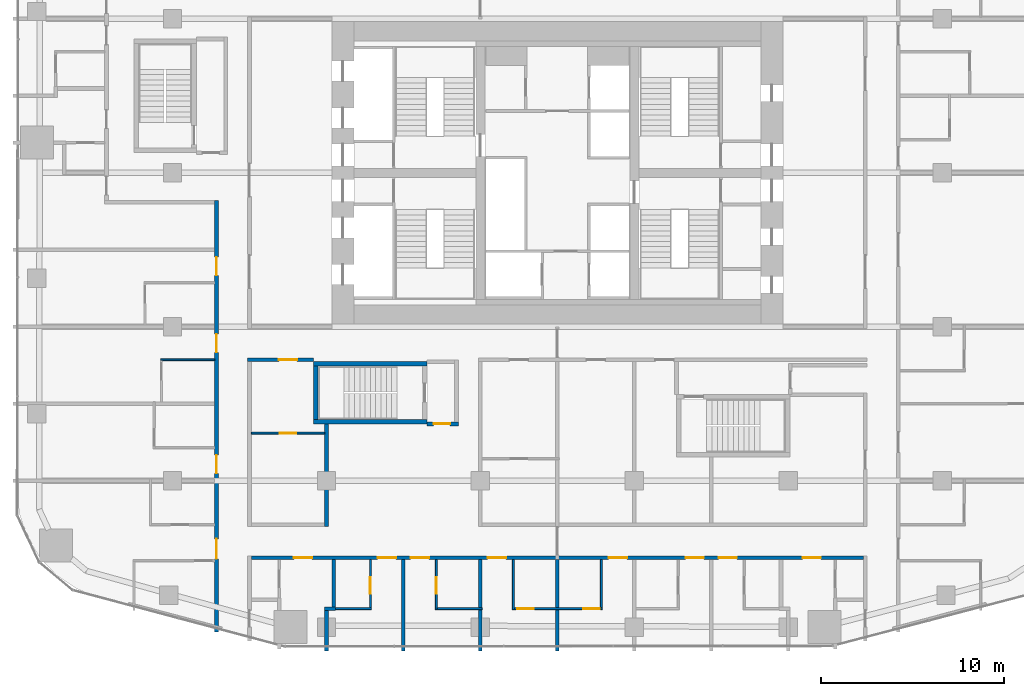
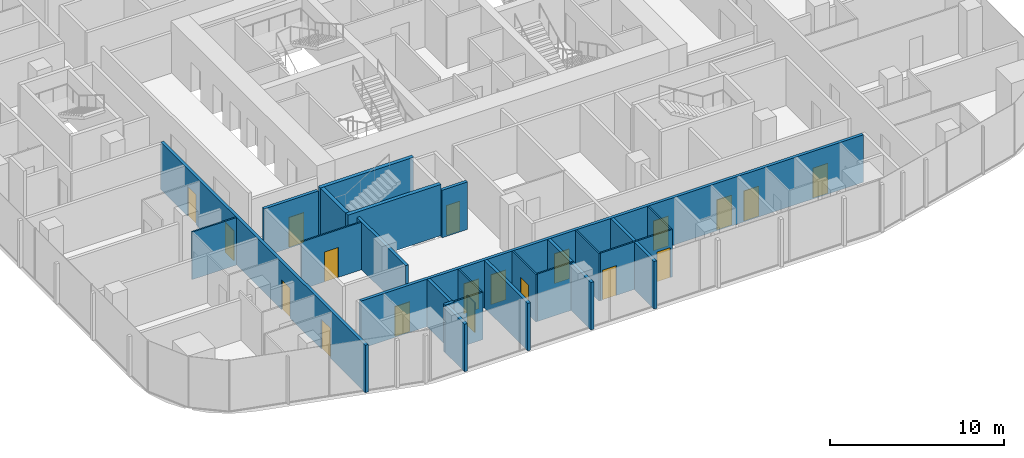
# One storey, part 16 of 26: 23 walls, 19 doors, 19 openings.
"""IFC4 building model written with IfcOpenShell, lengths in metres."""

from ifc_helpers import new_model, si_unit, direction, frame, frame_2d, origin, place, context, subcontext, project, spatial, rectangle, extrude, material, layer, layer_set, type_object, element, fill, save


model = new_model("IFC4")

# Units and contexts
model_context = context("Model", 3, precision=1e-05, world=origin(), true_north=direction((0.0, 1.0)))
body_context = subcontext(model_context, "Body", "Model", "MODEL_VIEW")
ifc_project = project(units=[si_unit("LENGTHUNIT", "METRE"), si_unit("AREAUNIT", "SQUARE_METRE"), si_unit("VOLUMEUNIT", "CUBIC_METRE"), si_unit("PLANEANGLEUNIT", "RADIAN"), si_unit("MASSUNIT", "GRAM", prefix="KILO")], contexts=[model_context])

# Site, building, storey
site_placement = place(None, origin())
site = spatial("IfcSite", under=ifc_project, at=site_placement, CompositionType="ELEMENT")
building_placement = place(site_placement, origin())
building = spatial("IfcBuilding", under=site, at=building_placement, Name="Marenta Gate Hotel Tower", CompositionType="ELEMENT")
storey_placement = place(building_placement, frame((0.0, 0.0, 43.699951171875)))
storey = spatial("IfcBuildingStorey", under=building, at=storey_placement, Name="L08", CompositionType="ELEMENT", Elevation=43.699951171875)

# Walls
ifc_material_1 = material(Name="Concrete blockwork", Category="masonry")
ifc_layer_1 = layer(ifc_material_1, 0.199951171875)
ifc_layer_set_1 = layer_set([ifc_layer_1], Name="Concrete blockwork")
wall_type_1 = type_object("IfcWallType", Name="Compartment wall 200 REI 180", PredefinedType="PARTITIONING", material=ifc_layer_set_1)
wall_1_placement = place(storey_placement, frame((0.0, -17.699951171875, 0.0), z_axis=(0.0, 0.0, 1.0), x_axis=(0.0, 1.0, 0.0)))
element("IfcWall", 1, at=wall_1_placement, inside=storey, type_object=wall_type_1, Name="L08-PTN-W069", PredefinedType="PARTITIONING", context=body_context, shape_type="SweptSolid", body=[
    extrude(rectangle(XDim=5.0, YDim=0.199951171875, at=frame_2d((2.5, 0.0))), origin(), (0.0, 0.0, 1.0), 3.340087890625),
])
ifc_material_2 = material(Name="Concrete C40", Category="concrete")
ifc_layer_2 = layer(ifc_material_2, 0.25)
ifc_layer_set_2 = layer_set([ifc_layer_2], Name="Concrete C40")
wall_type_2 = type_object("IfcWallType", Name="Remote stair enclosure wall 250 REI 180", PredefinedType="SHEAR", material=ifc_layer_set_2)
for number, where, z_axis, x_axis, name in (
    (2, (-13.300048828125, -5.175048828125, 0.10009765625), (0.0, 0.0, 1.0), (1.0, 0.0, 0.0), "L08-RS-Z1-2-W1"),
    (3, (-13.300048828125, -2.02490234375, 0.10009765625), (0.0, 0.0, 1.0), (1.0, 0.0, 0.0), "L08-RS-Z1-2-W2"),
):
    element("IfcWall", number, at=place(storey_placement, frame(where, z_axis=z_axis, x_axis=x_axis)), inside=storey, type_object=wall_type_2, Name=name, PredefinedType="SHEAR", context=body_context, shape_type="SweptSolid", body=[
        extrude(rectangle(XDim=6.199951171875, YDim=0.25, at=frame_2d((3.10009765625, 0.0))), origin(), (0.0, 0.0, 1.0), 3.599853515625),
    ])
wall_2_placement = place(storey_placement, frame((-13.175048828125, -5.050048828125, 0.10009765625), z_axis=(0.0, 0.0, 1.0), x_axis=(0.0, 1.0, 0.0)))
element("IfcWall", 4, at=wall_2_placement, inside=storey, type_object=wall_type_2, Name="L08-RS-Z1-2-W3", PredefinedType="SHEAR", context=body_context, shape_type="SweptSolid", body=[
    extrude(rectangle(XDim=2.900146484375, YDim=0.25, at=frame_2d((1.4501953125, 0.0))), origin(), (0.0, 0.0, 1.0), 3.599853515625),
])

# Wall, openings, doors
ifc_material_3 = material(Name="Gypsum board on steel stud", Category="steel")
ifc_layer_3 = layer(ifc_material_3, 0.199951171875)
ifc_layer_set_3 = layer_set([ifc_layer_3], Name="Gypsum board on steel stud")
wall_type_3 = type_object("IfcWallType", Name="Room corridor wall 200 EI 60", PredefinedType="PARTITIONING", material=ifc_layer_set_3)
wall_3_placement = place(storey_placement, frame((-16.699951171875, -12.60009765625, 0.0), z_axis=(0.0, 0.0, 1.0), x_axis=(1.0, 0.0, 0.0)))
wall_3 = element("IfcWall", 5, at=wall_3_placement, inside=storey, type_object=wall_type_3, Name="L08-PTN-W034", PredefinedType="PARTITIONING", context=body_context, shape_type="SweptSolid", body=[
    extrude(rectangle(XDim=33.39990234375, YDim=0.199951171875, at=frame_2d((16.699951171875, 0.0))), origin(), (0.0, 0.0, 1.0), 3.340087890625),
])
opening_1_placement = place(wall_3_placement, frame((6.89990234375, 0.0, 0.0)))
opening_1 = element("IfcOpeningElement", 6, at=opening_1_placement, cuts=wall_3, Name="Opening G02-40", PredefinedType="OPENING", context=body_context, shape_type="SweptSolid", body=[
    extrude(rectangle(XDim=1.0, YDim=2.10009765625, at=frame_2d((0.5, 1.050048828125))), frame((0.0, 0.10009765625, 0.0), z_axis=(0.0, -1.0, 0.0), x_axis=(1.0, 0.0, 0.0)), (0.0, 0.0, 1.0), 0.199951171875),
])
opening_2_placement = place(wall_3_placement, frame((8.699951171875, 0.0, 0.0)))
opening_2 = element("IfcOpeningElement", 7, at=opening_2_placement, cuts=wall_3, Name="Opening G02-42", PredefinedType="OPENING", context=body_context, shape_type="SweptSolid", body=[
    extrude(rectangle(XDim=1.0, YDim=2.10009765625, at=frame_2d((0.5, 1.050048828125))), frame((0.0, 0.10009765625, 0.0), z_axis=(0.0, -1.0, 0.0), x_axis=(1.0, 0.0, 0.0)), (0.0, 0.0, 1.0), 0.199951171875),
])
opening_3_placement = place(wall_3_placement, frame((12.89990234375, 0.0, 0.0)))
opening_3 = element("IfcOpeningElement", 8, at=opening_3_placement, cuts=wall_3, Name="Opening G02-44", PredefinedType="OPENING", context=body_context, shape_type="SweptSolid", body=[
    extrude(rectangle(XDim=1.0, YDim=2.10009765625, at=frame_2d((0.5, 1.050048828125))), frame((0.0, 0.10009765625, 0.0), z_axis=(0.0, -1.0, 0.0), x_axis=(1.0, 0.0, 0.0)), (0.0, 0.0, 1.0), 0.199951171875),
])
opening_4_placement = place(wall_3_placement, frame((19.5, 0.0, 0.0)))
opening_4 = element("IfcOpeningElement", 9, at=opening_4_placement, cuts=wall_3, Name="Opening G02-46", PredefinedType="OPENING", context=body_context, shape_type="SweptSolid", body=[
    extrude(rectangle(XDim=1.0, YDim=2.10009765625, at=frame_2d((0.5, 1.050048828125))), frame((0.0, 0.10009765625, 0.0), z_axis=(0.0, -1.0, 0.0), x_axis=(1.0, 0.0, 0.0)), (0.0, 0.0, 1.0), 0.199951171875),
])
opening_5_placement = place(wall_3_placement, frame((23.699951171875, 0.0, 0.0)))
opening_5 = element("IfcOpeningElement", 10, at=opening_5_placement, cuts=wall_3, Name="Opening G02-48", PredefinedType="OPENING", context=body_context, shape_type="SweptSolid", body=[
    extrude(rectangle(XDim=1.0, YDim=2.10009765625, at=frame_2d((0.5, 1.050048828125))), frame((0.0, 0.10009765625, 0.0), z_axis=(0.0, -1.0, 0.0), x_axis=(1.0, 0.0, 0.0)), (0.0, 0.0, 1.0), 0.199951171875),
])
opening_6_placement = place(wall_3_placement, frame((25.5, 0.0, 0.0)))
opening_6 = element("IfcOpeningElement", 11, at=opening_6_placement, cuts=wall_3, Name="Opening G02-50", PredefinedType="OPENING", context=body_context, shape_type="SweptSolid", body=[
    extrude(rectangle(XDim=1.0, YDim=2.10009765625, at=frame_2d((0.5, 1.050048828125))), frame((0.0, 0.10009765625, 0.0), z_axis=(0.0, -1.0, 0.0), x_axis=(1.0, 0.0, 0.0)), (0.0, 0.0, 1.0), 0.199951171875),
])
opening_7_placement = place(wall_3_placement, frame((2.31689453125, 0.0, 0.0)))
opening_7 = element("IfcOpeningElement", 12, at=opening_7_placement, cuts=wall_3, Name="Opening G02-76", PredefinedType="OPENING", context=body_context, shape_type="SweptSolid", body=[
    extrude(rectangle(XDim=1.0, YDim=2.10009765625, at=frame_2d((0.5, 1.050048828125))), frame((0.0, 0.10009765625, 0.0), z_axis=(0.0, -1.0, 0.0), x_axis=(1.0, 0.0, 0.0)), (0.0, 0.0, 1.0), 0.199951171875),
])
opening_8_placement = place(wall_3_placement, frame((30.0830078125, 0.0, 0.0)))
opening_8 = element("IfcOpeningElement", 13, at=opening_8_placement, cuts=wall_3, Name="Opening G02-79", PredefinedType="OPENING", context=body_context, shape_type="SweptSolid", body=[
    extrude(rectangle(XDim=1.0, YDim=2.10009765625, at=frame_2d((0.5, 1.050048828125))), frame((0.0, 0.10009765625, 0.0), z_axis=(0.0, -1.0, 0.0), x_axis=(1.0, 0.0, 0.0)), (0.0, 0.0, 1.0), 0.199951171875),
])
ifc_material_4 = material(Name="Timber door leaf", Category="wood")
door_type_1 = type_object("IfcDoorType", Name="Guest room door 1000x2100 EI 30", OperationType="NOTDEFINED", PredefinedType="DOOR", material=ifc_material_4)
door_1_placement = place(opening_1_placement, origin())
door_1 = element("IfcDoor", 14, at=door_1_placement, inside=storey, type_object=door_type_1, Name="L08-PD-D040", OperationType="SINGLE_SWING_RIGHT", OverallHeight=2.10009765625, OverallWidth=1.0, PredefinedType="DOOR", context=body_context, shape_type="SweptSolid", body=[
    extrude(rectangle(XDim=1.0, YDim=2.10009765625, at=frame_2d((0.5, 1.050048828125))), frame((0.0, 0.02490234375, 0.0), z_axis=(0.0, -1.0, 0.0), x_axis=(1.0, 0.0, 0.0)), (0.0, 0.0, 1.0), 0.050048828125),
])
fill(opening_1, door_1)
door_2_placement = place(opening_2_placement, origin())
door_2 = element("IfcDoor", 15, at=door_2_placement, inside=storey, type_object=door_type_1, Name="L08-PD-D042", OperationType="SINGLE_SWING_RIGHT", OverallHeight=2.10009765625, OverallWidth=1.0, PredefinedType="DOOR", context=body_context, shape_type="SweptSolid", body=[
    extrude(rectangle(XDim=1.0, YDim=2.10009765625, at=frame_2d((0.5, 1.050048828125))), frame((0.0, 0.02490234375, 0.0), z_axis=(0.0, -1.0, 0.0), x_axis=(1.0, 0.0, 0.0)), (0.0, 0.0, 1.0), 0.050048828125),
])
fill(opening_2, door_2)
door_3_placement = place(opening_3_placement, origin())
door_3 = element("IfcDoor", 16, at=door_3_placement, inside=storey, type_object=door_type_1, Name="L08-PD-D044", OperationType="SINGLE_SWING_RIGHT", OverallHeight=2.10009765625, OverallWidth=1.0, PredefinedType="DOOR", context=body_context, shape_type="SweptSolid", body=[
    extrude(rectangle(XDim=1.0, YDim=2.10009765625, at=frame_2d((0.5, 1.050048828125))), frame((0.0, 0.02490234375, 0.0), z_axis=(0.0, -1.0, 0.0), x_axis=(1.0, 0.0, 0.0)), (0.0, 0.0, 1.0), 0.050048828125),
])
fill(opening_3, door_3)
door_4_placement = place(opening_4_placement, origin())
door_4 = element("IfcDoor", 17, at=door_4_placement, inside=storey, type_object=door_type_1, Name="L08-PD-D046", OperationType="SINGLE_SWING_RIGHT", OverallHeight=2.10009765625, OverallWidth=1.0, PredefinedType="DOOR", context=body_context, shape_type="SweptSolid", body=[
    extrude(rectangle(XDim=1.0, YDim=2.10009765625, at=frame_2d((0.5, 1.050048828125))), frame((0.0, 0.02490234375, 0.0), z_axis=(0.0, -1.0, 0.0), x_axis=(1.0, 0.0, 0.0)), (0.0, 0.0, 1.0), 0.050048828125),
])
fill(opening_4, door_4)
door_5_placement = place(opening_5_placement, origin())
door_5 = element("IfcDoor", 18, at=door_5_placement, inside=storey, type_object=door_type_1, Name="L08-PD-D048", OperationType="SINGLE_SWING_RIGHT", OverallHeight=2.10009765625, OverallWidth=1.0, PredefinedType="DOOR", context=body_context, shape_type="SweptSolid", body=[
    extrude(rectangle(XDim=1.0, YDim=2.10009765625, at=frame_2d((0.5, 1.050048828125))), frame((0.0, 0.02490234375, 0.0), z_axis=(0.0, -1.0, 0.0), x_axis=(1.0, 0.0, 0.0)), (0.0, 0.0, 1.0), 0.050048828125),
])
fill(opening_5, door_5)
door_6_placement = place(opening_6_placement, origin())
door_6 = element("IfcDoor", 19, at=door_6_placement, inside=storey, type_object=door_type_1, Name="L08-PD-D050", OperationType="SINGLE_SWING_RIGHT", OverallHeight=2.10009765625, OverallWidth=1.0, PredefinedType="DOOR", context=body_context, shape_type="SweptSolid", body=[
    extrude(rectangle(XDim=1.0, YDim=2.10009765625, at=frame_2d((0.5, 1.050048828125))), frame((0.0, 0.02490234375, 0.0), z_axis=(0.0, -1.0, 0.0), x_axis=(1.0, 0.0, 0.0)), (0.0, 0.0, 1.0), 0.050048828125),
])
fill(opening_6, door_6)
door_7_placement = place(opening_7_placement, origin())
door_7 = element("IfcDoor", 20, at=door_7_placement, inside=storey, type_object=door_type_1, Name="L08-PD-D076", OperationType="SINGLE_SWING_RIGHT", OverallHeight=2.10009765625, OverallWidth=1.0, PredefinedType="DOOR", context=body_context, shape_type="SweptSolid", body=[
    extrude(rectangle(XDim=1.0, YDim=2.10009765625, at=frame_2d((0.5, 1.050048828125))), frame((0.0, 0.02490234375, 0.0), z_axis=(0.0, -1.0, 0.0), x_axis=(1.0, 0.0, 0.0)), (0.0, 0.0, 1.0), 0.050048828125),
])
fill(opening_7, door_7)
door_8_placement = place(opening_8_placement, origin())
door_8 = element("IfcDoor", 21, at=door_8_placement, inside=storey, type_object=door_type_1, Name="L08-PD-D079", OperationType="SINGLE_SWING_LEFT", OverallHeight=2.10009765625, OverallWidth=1.0, PredefinedType="DOOR", context=body_context, shape_type="SweptSolid", body=[
    extrude(rectangle(XDim=1.0, YDim=2.10009765625, at=frame_2d((0.5, 1.050048828125))), frame((0.0, 0.02490234375, 0.0), z_axis=(0.0, -1.0, 0.0), x_axis=(1.0, 0.0, 0.0)), (0.0, 0.0, 1.0), 0.050048828125),
])
fill(opening_8, door_8)

# Wall, opening, door
wall_4_placement = place(storey_placement, frame((-16.89990234375, -1.800048828125, 0.0), z_axis=(0.0, 0.0, 1.0), x_axis=(1.0, 0.0, 0.0)))
wall_4 = element("IfcWall", 22, at=wall_4_placement, inside=storey, type_object=wall_type_3, Name="L08-PTN-W066", PredefinedType="PARTITIONING", context=body_context, shape_type="SweptSolid", body=[
    extrude(rectangle(XDim=3.599853515625, YDim=0.199951171875, at=frame_2d((1.7998046875, 0.0))), origin(), (0.0, 0.0, 1.0), 3.340087890625),
])
opening_9_placement = place(wall_4_placement, frame((1.699951171875, 0.0, 0.0)))
opening_9 = element("IfcOpeningElement", 23, at=opening_9_placement, cuts=wall_4, Name="Opening G02-06", PredefinedType="OPENING", context=body_context, shape_type="SweptSolid", body=[
    extrude(rectangle(XDim=1.0, YDim=2.10009765625, at=frame_2d((0.5, 1.050048828125))), frame((0.0, 0.10009765625, 0.0), z_axis=(0.0, -1.0, 0.0), x_axis=(1.0, 0.0, 0.0)), (0.0, 0.0, 1.0), 0.199951171875),
])
ifc_material_5 = material(Name="Hollow steel door set", Category="steel")
door_type_2 = type_object("IfcDoorType", Name="Room service door 1000x2100 EI 30", OperationType="NOTDEFINED", PredefinedType="DOOR", material=ifc_material_5)
door_9_placement = place(opening_9_placement, origin())
door_9 = element("IfcDoor", 24, at=door_9_placement, inside=storey, type_object=door_type_2, Name="L08-PD-D006", OperationType="SINGLE_SWING_RIGHT", OverallHeight=2.10009765625, OverallWidth=1.0, PredefinedType="DOOR", context=body_context, shape_type="SweptSolid", body=[
    extrude(rectangle(XDim=1.0, YDim=2.10009765625, at=frame_2d((0.5, 1.050048828125))), frame((0.0, 0.02490234375, 0.0), z_axis=(0.0, -1.0, 0.0), x_axis=(1.0, 0.0, 0.0)), (0.0, 0.0, 1.0), 0.050048828125),
])
fill(opening_9, door_9)

# Wall
wall_5_placement = place(storey_placement, frame((-12.60009765625, -10.89990234375, 0.0), z_axis=(0.0, 0.0, 1.0), x_axis=(0.0, 1.0, 0.0)))
element("IfcWall", 25, at=wall_5_placement, inside=storey, type_object=wall_type_3, Name="L08-PTN-W100", PredefinedType="PARTITIONING", context=body_context, shape_type="SweptSolid", body=[
    extrude(rectangle(XDim=5.599853515625, YDim=0.199951171875, at=frame_2d((2.7998046875, 0.0))), origin(), (0.0, 0.0, 1.0), 3.340087890625),
])

# Wall, openings, doors
wall_6_placement = place(storey_placement, frame((-18.60009765625, -16.6650390625, 0.0), z_axis=(0.0, 0.0, 1.0), x_axis=(0.0, 1.0, 0.0)))
wall_6 = element("IfcWall", 26, at=wall_6_placement, inside=storey, type_object=wall_type_3, Name="L08-PTN-W119", PredefinedType="PARTITIONING", context=body_context, shape_type="SweptSolid", body=[
    extrude(rectangle(XDim=23.56494140625, YDim=0.199951171875, at=frame_2d((11.782470703125, 0.0))), origin(), (0.0, 0.0, 1.0), 3.340087890625),
])
opening_10_placement = place(wall_6_placement, frame((4.0, 0.0, 0.0)))
opening_10 = element("IfcOpeningElement", 27, at=opening_10_placement, cuts=wall_6, Name="Opening G02-52", PredefinedType="OPENING", context=body_context, shape_type="SweptSolid", body=[
    extrude(rectangle(XDim=1.10009765625, YDim=2.10009765625, at=frame_2d((0.550048828125, 1.050048828125))), frame((0.0, 0.10009765625, 0.0), z_axis=(0.0, -1.0, 0.0), x_axis=(1.0, 0.0, 0.0)), (0.0, 0.0, 1.0), 0.199951171875),
])
opening_11_placement = place(wall_6_placement, frame((8.6650390625, 0.0, 0.0)))
opening_11 = element("IfcOpeningElement", 28, at=opening_11_placement, cuts=wall_6, Name="Opening G02-55", PredefinedType="OPENING", context=body_context, shape_type="SweptSolid", body=[
    extrude(rectangle(XDim=1.0, YDim=2.10009765625, at=frame_2d((0.5, 1.050048828125))), frame((0.0, 0.10009765625, 0.0), z_axis=(0.0, -1.0, 0.0), x_axis=(1.0, 0.0, 0.0)), (0.0, 0.0, 1.0), 0.199951171875),
])
opening_12_placement = place(wall_6_placement, frame((15.264892578125, 0.0, 0.0)))
opening_12 = element("IfcOpeningElement", 29, at=opening_12_placement, cuts=wall_6, Name="Opening G02-57", PredefinedType="OPENING", context=body_context, shape_type="SweptSolid", body=[
    extrude(rectangle(XDim=1.0, YDim=2.10009765625, at=frame_2d((0.5, 1.050048828125))), frame((0.0, 0.10009765625, 0.0), z_axis=(0.0, -1.0, 0.0), x_axis=(1.0, 0.0, 0.0)), (0.0, 0.0, 1.0), 0.199951171875),
])
opening_13_placement = place(wall_6_placement, frame((19.465087890625, 0.0, 0.0)))
opening_13 = element("IfcOpeningElement", 30, at=opening_13_placement, cuts=wall_6, Name="Opening G02-59", PredefinedType="OPENING", context=body_context, shape_type="SweptSolid", body=[
    extrude(rectangle(XDim=1.0, YDim=2.10009765625, at=frame_2d((0.5, 1.050048828125))), frame((0.0, 0.10009765625, 0.0), z_axis=(0.0, -1.0, 0.0), x_axis=(1.0, 0.0, 0.0)), (0.0, 0.0, 1.0), 0.199951171875),
])
door_10_placement = place(opening_11_placement, origin())
door_10 = element("IfcDoor", 31, at=door_10_placement, inside=storey, type_object=door_type_1, Name="L08-PD-D055", OperationType="SINGLE_SWING_RIGHT", OverallHeight=2.10009765625, OverallWidth=1.0, PredefinedType="DOOR", context=body_context, shape_type="SweptSolid", body=[
    extrude(rectangle(XDim=1.0, YDim=2.10009765625, at=frame_2d((0.5, 1.050048828125))), frame((0.0, 0.02490234375, 0.0), z_axis=(0.0, -1.0, 0.0), x_axis=(1.0, 0.0, 0.0)), (0.0, 0.0, 1.0), 0.050048828125),
])
fill(opening_11, door_10)
door_11_placement = place(opening_12_placement, origin())
door_11 = element("IfcDoor", 32, at=door_11_placement, inside=storey, type_object=door_type_1, Name="L08-PD-D057", OperationType="SINGLE_SWING_RIGHT", OverallHeight=2.10009765625, OverallWidth=1.0, PredefinedType="DOOR", context=body_context, shape_type="SweptSolid", body=[
    extrude(rectangle(XDim=1.0, YDim=2.10009765625, at=frame_2d((0.5, 1.050048828125))), frame((0.0, 0.02490234375, 0.0), z_axis=(0.0, -1.0, 0.0), x_axis=(1.0, 0.0, 0.0)), (0.0, 0.0, 1.0), 0.050048828125),
])
fill(opening_12, door_11)
door_12_placement = place(opening_13_placement, origin())
door_12 = element("IfcDoor", 33, at=door_12_placement, inside=storey, type_object=door_type_1, Name="L08-PD-D059", OperationType="SINGLE_SWING_RIGHT", OverallHeight=2.10009765625, OverallWidth=1.0, PredefinedType="DOOR", context=body_context, shape_type="SweptSolid", body=[
    extrude(rectangle(XDim=1.0, YDim=2.10009765625, at=frame_2d((0.5, 1.050048828125))), frame((0.0, 0.02490234375, 0.0), z_axis=(0.0, -1.0, 0.0), x_axis=(1.0, 0.0, 0.0)), (0.0, 0.0, 1.0), 0.050048828125),
])
fill(opening_13, door_12)
ifc_material_6 = material(Name="Timber door leaf", Category="wood")
door_type_3 = type_object("IfcDoorType", Name="Guest room door 1100x2100 EI 30", OperationType="NOTDEFINED", PredefinedType="DOOR", material=ifc_material_6)
door_13_placement = place(opening_10_placement, origin())
door_13 = element("IfcDoor", 34, at=door_13_placement, inside=storey, type_object=door_type_3, Name="L08-PD-D052", OperationType="SINGLE_SWING_LEFT", OverallHeight=2.10009765625, OverallWidth=1.10009765625, PredefinedType="DOOR", context=body_context, shape_type="SweptSolid", body=[
    extrude(rectangle(XDim=1.10009765625, YDim=2.10009765625, at=frame_2d((0.550048828125, 1.050048828125))), frame((0.0, 0.02490234375, 0.0), z_axis=(0.0, -1.0, 0.0), x_axis=(1.0, 0.0, 0.0)), (0.0, 0.0, 1.0), 0.050048828125),
])
fill(opening_10, door_13)

# Wall, opening, door
ifc_material_7 = material(Name="Concrete blockwork", Category="masonry")
ifc_layer_4 = layer(ifc_material_7, 0.199951171875)
ifc_layer_set_4 = layer_set([ifc_layer_4], Name="Concrete blockwork")
wall_type_4 = type_object("IfcWallType", Name="Room corridor wall 200 REI 180", PredefinedType="PARTITIONING", material=ifc_layer_set_4)
wall_7_placement = place(storey_placement, frame((-7.10009765625, -5.300048828125, 0.0), z_axis=(0.0, 0.0, 1.0), x_axis=(1.0, 0.0, 0.0)))
wall_7 = element("IfcWall", 35, at=wall_7_placement, inside=storey, type_object=wall_type_4, Name="L08-PTN-W053", PredefinedType="PARTITIONING", context=body_context, shape_type="SweptSolid", body=[
    extrude(rectangle(XDim=1.7001953125, YDim=0.199951171875, at=frame_2d((0.85009765625, 0.0))), origin(), (0.0, 0.0, 1.0), 3.340087890625),
])
opening_14_placement = place(wall_7_placement, frame((0.35009765625, 0.0, 0.0)))
opening_14 = element("IfcOpeningElement", 36, at=opening_14_placement, cuts=wall_7, Name="Opening G02-69", PredefinedType="OPENING", context=body_context, shape_type="SweptSolid", body=[
    extrude(rectangle(XDim=0.89990234375, YDim=2.10009765625, at=frame_2d((0.449951171875, 1.050048828125))), frame((0.0, 0.10009765625, 0.0), z_axis=(0.0, -1.0, 0.0), x_axis=(1.0, 0.0, 0.0)), (0.0, 0.0, 1.0), 0.199951171875),
])
ifc_material_8 = material(Name="Hollow steel door set", Category="steel")
door_type_4 = type_object("IfcDoorType", Name="Stair vestibule door 900x2100 EI 60", OperationType="NOTDEFINED", PredefinedType="DOOR", material=ifc_material_8)
door_14_placement = place(opening_14_placement, origin())
door_14 = element("IfcDoor", 37, at=door_14_placement, inside=storey, type_object=door_type_4, Name="L08-PD-D069", OperationType="SINGLE_SWING_RIGHT", OverallHeight=2.10009765625, OverallWidth=0.89990234375, PredefinedType="DOOR", context=body_context, shape_type="SweptSolid", body=[
    extrude(rectangle(XDim=0.89990234375, YDim=2.10009765625, at=frame_2d((0.449951171875, 1.050048828125))), frame((0.0, 0.02490234375, 0.0), z_axis=(0.0, -1.0, 0.0), x_axis=(1.0, 0.0, 0.0)), (0.0, 0.0, 1.0), 0.050048828125),
])
fill(opening_14, door_14)

# Walls
ifc_material_9 = material(Name="Gypsum board on steel stud", Category="steel")
ifc_layer_5 = layer(ifc_material_9, 0.10009765625)
ifc_layer_set_5 = layer_set([ifc_layer_5], Name="Gypsum board on steel stud")
wall_type_5 = type_object("IfcWallType", Name="Room partition 100", PredefinedType="PARTITIONING", material=ifc_layer_set_5)
wall_8_placement = place(storey_placement, frame((-12.10009765625, -15.375, 0.0), z_axis=(0.0, 0.0, 1.0), x_axis=(1.0, 0.0, 0.0)))
element("IfcWall", 38, at=wall_8_placement, inside=storey, type_object=wall_type_5, Name="L08-PTN-W019", PredefinedType="PARTITIONING", context=body_context, shape_type="SweptSolid", body=[
    extrude(rectangle(XDim=1.9501953125, YDim=0.10009765625, at=frame_2d((0.97509765625, 0.0))), origin(), (0.0, 0.0, 1.0), 3.340087890625),
])
wall_9_placement = place(storey_placement, frame((-6.550048828125, -15.375, 0.0), z_axis=(0.0, 0.0, 1.0), x_axis=(1.0, 0.0, 0.0)))
element("IfcWall", 39, at=wall_9_placement, inside=storey, type_object=wall_type_5, Name="L08-PTN-W020", PredefinedType="PARTITIONING", context=body_context, shape_type="SweptSolid", body=[
    extrude(rectangle(XDim=2.449951171875, YDim=0.10009765625, at=frame_2d((1.22509765625, 0.0))), origin(), (0.0, 0.0, 1.0), 3.340087890625),
])

# Wall, openings, doors
wall_10_placement = place(storey_placement, frame((-2.35009765625, -15.375, 0.0), z_axis=(0.0, 0.0, 1.0), x_axis=(1.0, 0.0, 0.0)))
wall_10 = element("IfcWall", 40, at=wall_10_placement, inside=storey, type_object=wall_type_5, Name="L08-PTN-W021", PredefinedType="PARTITIONING", context=body_context, shape_type="SweptSolid", body=[
    extrude(rectangle(XDim=4.800048828125, YDim=0.10009765625, at=frame_2d((2.39990234375, 0.0))), origin(), (0.0, 0.0, 1.0), 3.340087890625),
])
opening_15_placement = place(wall_10_placement, frame((0.14990234375, 0.0, 0.0)))
opening_15 = element("IfcOpeningElement", 41, at=opening_15_placement, cuts=wall_10, Name="Opening G02-45", PredefinedType="OPENING", context=body_context, shape_type="SweptSolid", body=[
    extrude(rectangle(XDim=0.89990234375, YDim=2.10009765625, at=frame_2d((0.449951171875, 1.050048828125))), frame((0.0, 0.050048828125, 0.0), z_axis=(0.0, -1.0, 0.0), x_axis=(1.0, 0.0, 0.0)), (0.0, 0.0, 1.0), 0.10009765625),
])
opening_16_placement = place(wall_10_placement, frame((3.75, 0.0, 0.0)))
opening_16 = element("IfcOpeningElement", 42, at=opening_16_placement, cuts=wall_10, Name="Opening G02-47", PredefinedType="OPENING", context=body_context, shape_type="SweptSolid", body=[
    extrude(rectangle(XDim=0.89990234375, YDim=2.10009765625, at=frame_2d((0.449951171875, 1.050048828125))), frame((0.0, 0.050048828125, 0.0), z_axis=(0.0, -1.0, 0.0), x_axis=(1.0, 0.0, 0.0)), (0.0, 0.0, 1.0), 0.10009765625),
])
ifc_material_10 = material(Name="Timber door leaf", Category="wood")
door_type_5 = type_object("IfcDoorType", Name="Guest bathroom door 900x2100", OperationType="NOTDEFINED", PredefinedType="DOOR", material=ifc_material_10)
door_15_placement = place(opening_15_placement, origin())
door_15 = element("IfcDoor", 43, at=door_15_placement, inside=storey, type_object=door_type_5, Name="L08-PD-D045", OperationType="SINGLE_SWING_LEFT", OverallHeight=2.10009765625, OverallWidth=0.89990234375, PredefinedType="DOOR", context=body_context, shape_type="SweptSolid", body=[
    extrude(rectangle(XDim=0.89990234375, YDim=2.10009765625, at=frame_2d((0.449951171875, 1.050048828125))), frame((0.0, 0.02490234375, 0.0), z_axis=(0.0, -1.0, 0.0), x_axis=(1.0, 0.0, 0.0)), (0.0, 0.0, 1.0), 0.050048828125),
])
fill(opening_15, door_15)
door_16_placement = place(opening_16_placement, origin())
door_16 = element("IfcDoor", 44, at=door_16_placement, inside=storey, type_object=door_type_5, Name="L08-PD-D047", OperationType="SINGLE_SWING_RIGHT", OverallHeight=2.10009765625, OverallWidth=0.89990234375, PredefinedType="DOOR", context=body_context, shape_type="SweptSolid", body=[
    extrude(rectangle(XDim=0.89990234375, YDim=2.10009765625, at=frame_2d((0.449951171875, 1.050048828125))), frame((0.0, 0.02490234375, 0.0), z_axis=(0.0, -1.0, 0.0), x_axis=(1.0, 0.0, 0.0)), (0.0, 0.0, 1.0), 0.050048828125),
])
fill(opening_16, door_16)

# Wall, opening, door
wall_11_placement = place(storey_placement, frame((-16.699951171875, -5.800048828125, 0.0), z_axis=(0.0, 0.0, 1.0), x_axis=(1.0, 0.0, 0.0)))
wall_11 = element("IfcWall", 45, at=wall_11_placement, inside=storey, type_object=wall_type_5, Name="L08-PTN-W052", PredefinedType="PARTITIONING", context=body_context, shape_type="SweptSolid", body=[
    extrude(rectangle(XDim=4.0, YDim=0.10009765625, at=frame_2d((2.0, 0.0))), origin(), (0.0, 0.0, 1.0), 3.340087890625),
])
opening_17_placement = place(wall_11_placement, frame((1.550048828125, 0.0, 0.0)))
opening_17 = element("IfcOpeningElement", 46, at=opening_17_placement, cuts=wall_11, Name="Opening G02-07", PredefinedType="OPENING", context=body_context, shape_type="SweptSolid", body=[
    extrude(rectangle(XDim=0.89990234375, YDim=2.10009765625, at=frame_2d((0.449951171875, 1.050048828125))), frame((0.0, 0.050048828125, 0.0), z_axis=(0.0, -1.0, 0.0), x_axis=(1.0, 0.0, 0.0)), (0.0, 0.0, 1.0), 0.10009765625),
])
ifc_material_11 = material(Name="Timber door leaf", Category="wood")
door_type_6 = type_object("IfcDoorType", Name="Room inner door 900x2100", OperationType="NOTDEFINED", PredefinedType="DOOR", material=ifc_material_11)
door_17_placement = place(opening_17_placement, origin())
door_17 = element("IfcDoor", 47, at=door_17_placement, inside=storey, type_object=door_type_6, Name="L08-PD-D007", OperationType="SINGLE_SWING_LEFT", OverallHeight=2.10009765625, OverallWidth=0.89990234375, PredefinedType="DOOR", context=body_context, shape_type="SweptSolid", body=[
    extrude(rectangle(XDim=0.89990234375, YDim=2.10009765625, at=frame_2d((0.449951171875, 1.050048828125))), frame((0.0, 0.02490234375, 0.0), z_axis=(0.0, -1.0, 0.0), x_axis=(1.0, 0.0, 0.0)), (0.0, 0.0, 1.0), 0.050048828125),
])
fill(opening_17, door_17)

# Walls
wall_12_placement = place(storey_placement, frame((2.39990234375, -15.324951171875, 0.0), z_axis=(0.0, 0.0, 1.0), x_axis=(0.0, 1.0, 0.0)))
element("IfcWall", 48, at=wall_12_placement, inside=storey, type_object=wall_type_5, Name="L08-PTN-W061", PredefinedType="PARTITIONING", context=body_context, shape_type="SweptSolid", body=[
    extrude(rectangle(XDim=2.625, YDim=0.10009765625, at=frame_2d((1.3125, 0.0))), origin(), (0.0, 0.0, 1.0), 3.340087890625),
])
wall_13_placement = place(storey_placement, frame((-21.64990234375, -1.800048828125, 0.0), z_axis=(0.0, 0.0, 1.0), x_axis=(1.0, 0.0, 0.0)))
element("IfcWall", 49, at=wall_13_placement, inside=storey, type_object=wall_type_5, Name="L08-PTN-W065", PredefinedType="PARTITIONING", context=body_context, shape_type="SweptSolid", body=[
    extrude(rectangle(XDim=2.949951171875, YDim=0.10009765625, at=frame_2d((1.47509765625, 0.0))), origin(), (0.0, 0.0, 1.0), 3.340087890625),
])
wall_14_placement = place(storey_placement, frame((-2.39990234375, -15.425048828125, 0.0), z_axis=(0.0, 0.0, 1.0), x_axis=(0.0, 1.0, 0.0)))
element("IfcWall", 50, at=wall_14_placement, inside=storey, type_object=wall_type_5, Name="L08-PTN-W075", PredefinedType="PARTITIONING", context=body_context, shape_type="SweptSolid", body=[
    extrude(rectangle(XDim=2.72509765625, YDim=0.10009765625, at=frame_2d((1.362548828125, 0.0))), origin(), (0.0, 0.0, 1.0), 3.340087890625),
])

# Wall, opening, door
wall_15_placement = place(storey_placement, frame((-6.60009765625, -15.425048828125, 0.0), z_axis=(0.0, 0.0, 1.0), x_axis=(0.0, 1.0, 0.0)))
wall_15 = element("IfcWall", 51, at=wall_15_placement, inside=storey, type_object=wall_type_5, Name="L08-PTN-W084", PredefinedType="PARTITIONING", context=body_context, shape_type="SweptSolid", body=[
    extrude(rectangle(XDim=2.72509765625, YDim=0.10009765625, at=frame_2d((1.362548828125, 0.0))), origin(), (0.0, 0.0, 1.0), 3.340087890625),
])
opening_18_placement = place(wall_15_placement, frame((0.84912109375, 0.0, 0.0)))
opening_18 = element("IfcOpeningElement", 52, at=opening_18_placement, cuts=wall_15, Name="Opening G02-43", PredefinedType="OPENING", context=body_context, shape_type="SweptSolid", body=[
    extrude(rectangle(XDim=0.89990234375, YDim=2.10009765625, at=frame_2d((0.449951171875, 1.050048828125))), frame((0.0, 0.050048828125, 0.0), z_axis=(0.0, -1.0, 0.0), x_axis=(1.0, 0.0, 0.0)), (0.0, 0.0, 1.0), 0.10009765625),
])
door_18_placement = place(opening_18_placement, origin())
door_18 = element("IfcDoor", 53, at=door_18_placement, inside=storey, type_object=door_type_5, Name="L08-PD-D043", OperationType="SINGLE_SWING_RIGHT", OverallHeight=2.10009765625, OverallWidth=0.89990234375, PredefinedType="DOOR", context=body_context, shape_type="SweptSolid", body=[
    extrude(rectangle(XDim=0.89990234375, YDim=2.10009765625, at=frame_2d((0.449951171875, 1.050048828125))), frame((0.0, 0.02490234375, 0.0), z_axis=(0.0, -1.0, 0.0), x_axis=(1.0, 0.0, 0.0)), (0.0, 0.0, 1.0), 0.050048828125),
])
fill(opening_18, door_18)

wall_16_placement = place(storey_placement, frame((-10.199951171875, -15.324951171875, 0.0), z_axis=(0.0, 0.0, 1.0), x_axis=(0.0, 1.0, 0.0)))
wall_16 = element("IfcWall", 54, at=wall_16_placement, inside=storey, type_object=wall_type_5, Name="L08-PTN-W093", PredefinedType="PARTITIONING", context=body_context, shape_type="SweptSolid", body=[
    extrude(rectangle(XDim=2.625, YDim=0.10009765625, at=frame_2d((1.3125, 0.0))), origin(), (0.0, 0.0, 1.0), 3.340087890625),
])
opening_19_placement = place(wall_16_placement, frame((0.7490234375, 0.0, 0.0)))
opening_19 = element("IfcOpeningElement", 55, at=opening_19_placement, cuts=wall_16, Name="Opening G02-41", PredefinedType="OPENING", context=body_context, shape_type="SweptSolid", body=[
    extrude(rectangle(XDim=0.89990234375, YDim=2.10009765625, at=frame_2d((0.449951171875, 1.050048828125))), frame((0.0, 0.050048828125, 0.0), z_axis=(0.0, -1.0, 0.0), x_axis=(1.0, 0.0, 0.0)), (0.0, 0.0, 1.0), 0.10009765625),
])
door_19_placement = place(opening_19_placement, origin())
door_19 = element("IfcDoor", 56, at=door_19_placement, inside=storey, type_object=door_type_5, Name="L08-PD-D041", OperationType="SINGLE_SWING_LEFT", OverallHeight=2.10009765625, OverallWidth=0.89990234375, PredefinedType="DOOR", context=body_context, shape_type="SweptSolid", body=[
    extrude(rectangle(XDim=0.89990234375, YDim=2.10009765625, at=frame_2d((0.449951171875, 1.050048828125))), frame((0.0, 0.02490234375, 0.0), z_axis=(0.0, -1.0, 0.0), x_axis=(1.0, 0.0, 0.0)), (0.0, 0.0, 1.0), 0.050048828125),
])
fill(opening_19, door_19)

# Walls
ifc_material_12 = material(Name="Gypsum board on steel stud", Category="steel")
ifc_layer_6 = layer(ifc_material_12, 0.199951171875)
ifc_layer_set_6 = layer_set([ifc_layer_6], Name="Gypsum board on steel stud")
wall_type_6 = type_object("IfcWallType", Name="Room party wall 200 EI 60", PredefinedType="PARTITIONING", material=ifc_layer_set_6)
wall_17_placement = place(storey_placement, frame((-12.699951171875, -15.375, 0.0), z_axis=(0.0, 0.0, 1.0), x_axis=(1.0, 0.0, 0.0)))
element("IfcWall", 57, at=wall_17_placement, inside=storey, type_object=wall_type_6, Name="L08-PTN-W017", PredefinedType="PARTITIONING", context=body_context, shape_type="SweptSolid", body=[
    extrude(rectangle(XDim=0.599853515625, YDim=0.199951171875, at=frame_2d((0.2998046875, 0.0))), origin(), (0.0, 0.0, 1.0), 3.340087890625),
])
for number, where, z_axis, x_axis, name in (
    (58, (-4.199951171875, -17.699951171875, 0.0), (0.0, 0.0, 1.0), (0.0, 1.0, 0.0), "L08-PTN-W077"),
    (59, (-8.39990234375, -17.699951171875, 0.0), (0.0, 0.0, 1.0), (0.0, 1.0, 0.0), "L08-PTN-W086"),
):
    element("IfcWall", number, at=place(storey_placement, frame(where, z_axis=z_axis, x_axis=x_axis)), inside=storey, type_object=wall_type_6, Name=name, PredefinedType="PARTITIONING", context=body_context, shape_type="SweptSolid", body=[
        extrude(rectangle(XDim=5.0, YDim=0.199951171875, at=frame_2d((2.5, 0.0))), origin(), (0.0, 0.0, 1.0), 3.340087890625),
    ])
wall_18_placement = place(storey_placement, frame((-12.199951171875, -15.27490234375, 0.0), z_axis=(0.0, 0.0, 1.0), x_axis=(0.0, 1.0, 0.0)))
element("IfcWall", 60, at=wall_18_placement, inside=storey, type_object=wall_type_6, Name="L08-PTN-W096", PredefinedType="PARTITIONING", context=body_context, shape_type="SweptSolid", body=[
    extrude(rectangle(XDim=2.574951171875, YDim=0.199951171875, at=frame_2d((1.28759765625, 0.0))), origin(), (0.0, 0.0, 1.0), 3.340087890625),
])
wall_19_placement = place(storey_placement, frame((-12.60009765625, -17.699951171875, 0.0), z_axis=(0.0, 0.0, 1.0), x_axis=(0.0, 1.0, 0.0)))
element("IfcWall", 61, at=wall_19_placement, inside=storey, type_object=wall_type_6, Name="L08-PTN-W097", PredefinedType="PARTITIONING", context=body_context, shape_type="SweptSolid", body=[
    extrude(rectangle(XDim=2.224853515625, YDim=0.199951171875, at=frame_2d((1.1123046875, 0.0))), origin(), (0.0, 0.0, 1.0), 3.340087890625),
])

save(model, "model.ifc")
